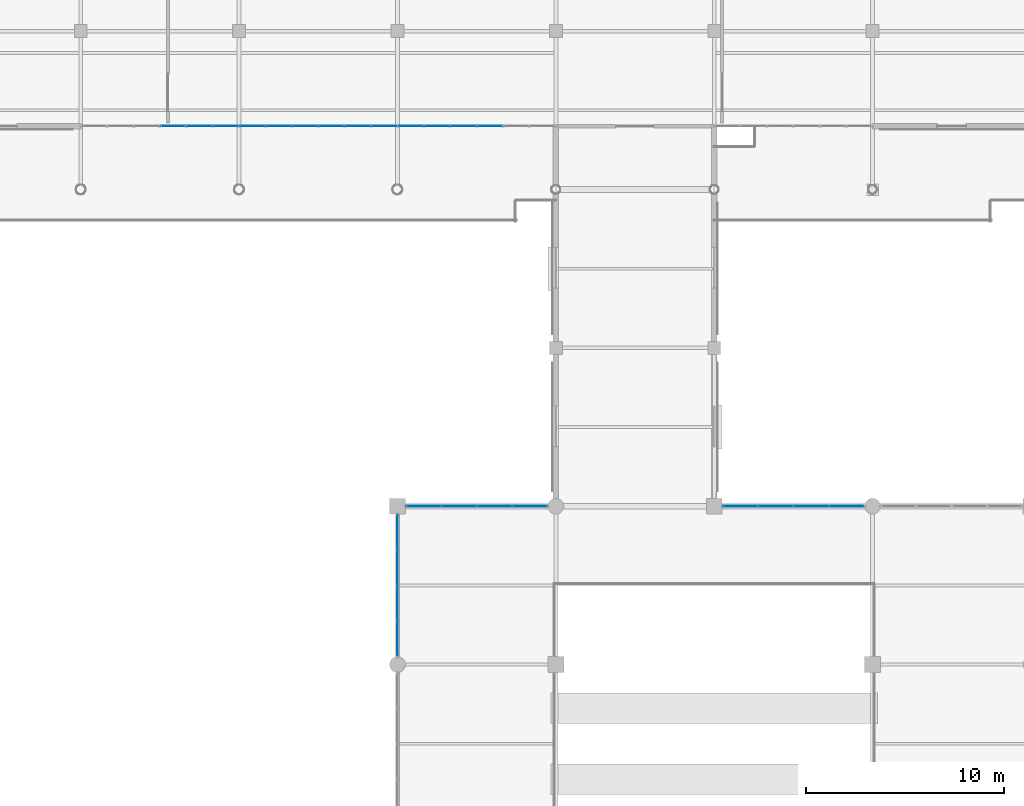
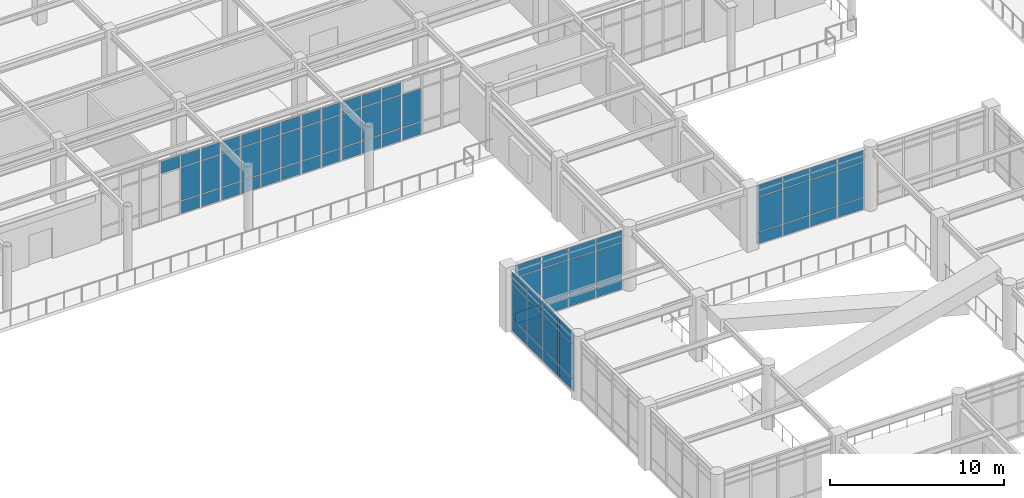
# One storey, part 51 of 75: 72 plates, 6 elements without a shape of their own.
"""IFC4 building model written with IfcOpenShell, lengths in metres."""

from ifc_helpers import new_model, si_unit, direction, frame, origin, origin_2d, place, context, subcontext, project, spatial, rectangle, extrude, material, layer, layer_set, type_object, element, aggregate, save


model = new_model("IFC4")

# Units and contexts
model_context = context("Model", 3, precision=1e-05, world=origin(), true_north=direction((0.0, 1.0)))
body_context = subcontext(model_context, "Body", "Model", "MODEL_VIEW")
ifc_project = project(units=[si_unit("LENGTHUNIT", "METRE"), si_unit("AREAUNIT", "SQUARE_METRE"), si_unit("VOLUMEUNIT", "CUBIC_METRE"), si_unit("PLANEANGLEUNIT", "RADIAN"), si_unit("MASSUNIT", "GRAM", prefix="KILO")], contexts=[model_context])

# Site, building, storey
site_placement = place(None, origin())
site = spatial("IfcSite", under=ifc_project, at=site_placement, CompositionType="ELEMENT")
building_placement = place(site_placement, origin())
building = spatial("IfcBuilding", under=site, at=building_placement, Name="Solmirada Galleria", CompositionType="ELEMENT")
storey_placement = place(building_placement, frame((0.0, 0.0, 19.39990234375)))
storey = spatial("IfcBuildingStorey", under=building, at=storey_placement, Name="L04", CompositionType="ELEMENT", Elevation=19.39990234375)

# Curtain wall, plates
ifc_material_1 = material(Name="Impact-resistant low-E double glazing", Category="glass")
curtain_wall_type_1 = type_object("IfcCurtainWallType", Name="CW-FZ3-L04-B4-L072", PredefinedType="NOTDEFINED", material=ifc_material_1)
curtain_wall_1_placement = place(storey_placement, origin())
curtain_wall_1 = element("IfcCurtainWall", 1, at=curtain_wall_1_placement, inside=storey, type_object=curtain_wall_type_1, Name="Terrace and arcade storefront CW-L04-144", PredefinedType="NOTDEFINED")
ifc_layer_1 = layer(ifc_material_1, 0.0419921875)
ifc_layer_set_1 = layer_set([ifc_layer_1], Name="Impact-resistant low-E double glazing")
plate_type_1 = type_object("IfcPlateType", Name="CW-PNL-CW30-T42", PredefinedType="CURTAIN_PANEL", material=ifc_layer_set_1)
plate_1_placement = place(storey_placement, frame((80.0, 65.31640625, 0.06005859375), z_axis=(0.0, 0.0, 1.0), x_axis=(0.0, 1.0, 0.0)))
plate_1 = element("IfcPlate", 2, at=plate_1_placement, type_object=plate_type_1, Name="CW30 panel 1.1", PredefinedType="CURTAIN_PANEL", context=body_context, shape_type="SweptSolid", body=[
    extrude(rectangle(XDim=1.708984375, YDim=0.0419921875, at=origin_2d()), origin(), (0.0, 0.0, 1.0), 0.7900390625),
])
plate_2_placement = place(storey_placement, frame((80.0, 65.31640625, 0.91015625), z_axis=(0.0, 0.0, 1.0), x_axis=(0.0, 1.0, 0.0)))
plate_2 = element("IfcPlate", 3, at=plate_2_placement, type_object=plate_type_1, Name="CW30 panel 1.2", PredefinedType="CURTAIN_PANEL", context=body_context, shape_type="SweptSolid", body=[
    extrude(rectangle(XDim=1.708984375, YDim=0.0419921875, at=origin_2d()), origin(), (0.0, 0.0, 1.0), 2.39990234375),
])
plate_3_placement = place(storey_placement, frame((80.0, 65.31640625, 3.3701171875), z_axis=(0.0, 0.0, 1.0), x_axis=(0.0, 1.0, 0.0)))
plate_3 = element("IfcPlate", 4, at=plate_3_placement, type_object=plate_type_1, Name="CW30 panel 1.3", PredefinedType="CURTAIN_PANEL", context=body_context, shape_type="SweptSolid", body=[
    extrude(rectangle(XDim=1.708984375, YDim=0.0419921875, at=origin_2d()), origin(), (0.0, 0.0, 1.0), 0.7900390625),
])
plate_4_placement = place(storey_placement, frame((80.0, 67.1005859375, 0.06005859375), z_axis=(0.0, 0.0, 1.0), x_axis=(0.0, 1.0, 0.0)))
plate_4 = element("IfcPlate", 5, at=plate_4_placement, type_object=plate_type_1, Name="CW30 panel 2.1", PredefinedType="CURTAIN_PANEL", context=body_context, shape_type="SweptSolid", body=[
    extrude(rectangle(XDim=1.739013671875, YDim=0.0419921875, at=origin_2d()), origin(), (0.0, 0.0, 1.0), 0.7900390625),
])
plate_5_placement = place(storey_placement, frame((80.0, 67.1005859375, 0.91015625), z_axis=(0.0, 0.0, 1.0), x_axis=(0.0, 1.0, 0.0)))
plate_5 = element("IfcPlate", 6, at=plate_5_placement, type_object=plate_type_1, Name="CW30 panel 2.2", PredefinedType="CURTAIN_PANEL", context=body_context, shape_type="SweptSolid", body=[
    extrude(rectangle(XDim=1.739013671875, YDim=0.0419921875, at=origin_2d()), origin(), (0.0, 0.0, 1.0), 2.39990234375),
])
plate_6_placement = place(storey_placement, frame((80.0, 67.1005859375, 3.3701171875), z_axis=(0.0, 0.0, 1.0), x_axis=(0.0, 1.0, 0.0)))
plate_6 = element("IfcPlate", 7, at=plate_6_placement, type_object=plate_type_1, Name="CW30 panel 2.3", PredefinedType="CURTAIN_PANEL", context=body_context, shape_type="SweptSolid", body=[
    extrude(rectangle(XDim=1.739013671875, YDim=0.0419921875, at=origin_2d()), origin(), (0.0, 0.0, 1.0), 0.7900390625),
])
plate_7_placement = place(storey_placement, frame((80.0, 68.8994140625, 0.06005859375), z_axis=(0.0, 0.0, 1.0), x_axis=(0.0, 1.0, 0.0)))
plate_7 = element("IfcPlate", 8, at=plate_7_placement, type_object=plate_type_1, Name="CW30 panel 3.1", PredefinedType="CURTAIN_PANEL", context=body_context, shape_type="SweptSolid", body=[
    extrude(rectangle(XDim=1.739013671875, YDim=0.0419921875, at=origin_2d()), origin(), (0.0, 0.0, 1.0), 0.7900390625),
])
plate_8_placement = place(storey_placement, frame((80.0, 68.8994140625, 0.91015625), z_axis=(0.0, 0.0, 1.0), x_axis=(0.0, 1.0, 0.0)))
plate_8 = element("IfcPlate", 9, at=plate_8_placement, type_object=plate_type_1, Name="CW30 panel 3.2", PredefinedType="CURTAIN_PANEL", context=body_context, shape_type="SweptSolid", body=[
    extrude(rectangle(XDim=1.739013671875, YDim=0.0419921875, at=origin_2d()), origin(), (0.0, 0.0, 1.0), 2.39990234375),
])
plate_9_placement = place(storey_placement, frame((80.0, 68.8994140625, 3.3701171875), z_axis=(0.0, 0.0, 1.0), x_axis=(0.0, 1.0, 0.0)))
plate_9 = element("IfcPlate", 10, at=plate_9_placement, type_object=plate_type_1, Name="CW30 panel 3.3", PredefinedType="CURTAIN_PANEL", context=body_context, shape_type="SweptSolid", body=[
    extrude(rectangle(XDim=1.739013671875, YDim=0.0419921875, at=origin_2d()), origin(), (0.0, 0.0, 1.0), 0.7900390625),
])
plate_10_placement = place(storey_placement, frame((80.0, 70.68359375, 0.06005859375), z_axis=(0.0, 0.0, 1.0), x_axis=(0.0, 1.0, 0.0)))
plate_10 = element("IfcPlate", 11, at=plate_10_placement, type_object=plate_type_1, Name="CW30 panel 4.1", PredefinedType="CURTAIN_PANEL", context=body_context, shape_type="SweptSolid", body=[
    extrude(rectangle(XDim=1.708984375, YDim=0.0419921875, at=origin_2d()), origin(), (0.0, 0.0, 1.0), 0.7900390625),
])
plate_11_placement = place(storey_placement, frame((80.0, 70.68359375, 0.91015625), z_axis=(0.0, 0.0, 1.0), x_axis=(0.0, 1.0, 0.0)))
plate_11 = element("IfcPlate", 12, at=plate_11_placement, type_object=plate_type_1, Name="CW30 panel 4.2", PredefinedType="CURTAIN_PANEL", context=body_context, shape_type="SweptSolid", body=[
    extrude(rectangle(XDim=1.708984375, YDim=0.0419921875, at=origin_2d()), origin(), (0.0, 0.0, 1.0), 2.39990234375),
])
plate_12_placement = place(storey_placement, frame((80.0, 70.68359375, 3.3701171875), z_axis=(0.0, 0.0, 1.0), x_axis=(0.0, 1.0, 0.0)))
plate_12 = element("IfcPlate", 13, at=plate_12_placement, type_object=plate_type_1, Name="CW30 panel 4.3", PredefinedType="CURTAIN_PANEL", context=body_context, shape_type="SweptSolid", body=[
    extrude(rectangle(XDim=1.708984375, YDim=0.0419921875, at=origin_2d()), origin(), (0.0, 0.0, 1.0), 0.7900390625),
])
aggregate(curtain_wall_1, [plate_1, plate_2, plate_3, plate_4, plate_5, plate_6, plate_7, plate_8, plate_9, plate_10, plate_11, plate_12])

curtain_wall_2_placement = place(storey_placement, origin())
curtain_wall_2 = element("IfcCurtainWall", 14, at=curtain_wall_2_placement, inside=storey, type_object=curtain_wall_type_1, Name="Terrace and arcade storefront CW-L04-145", PredefinedType="NOTDEFINED")
plate_13_placement = place(storey_placement, frame((81.31640625, 72.0, 0.06005859375), z_axis=(0.0, 0.0, 1.0), x_axis=(1.0, 0.0, 0.0)))
plate_13 = element("IfcPlate", 15, at=plate_13_placement, type_object=plate_type_1, Name="CW30 panel 1.1", PredefinedType="CURTAIN_PANEL", context=body_context, shape_type="SweptSolid", body=[
    extrude(rectangle(XDim=1.708984375, YDim=0.0419921875, at=origin_2d()), origin(), (0.0, 0.0, 1.0), 0.7900390625),
])
plate_14_placement = place(storey_placement, frame((81.31640625, 72.0, 0.91015625), z_axis=(0.0, 0.0, 1.0), x_axis=(1.0, 0.0, 0.0)))
plate_14 = element("IfcPlate", 16, at=plate_14_placement, type_object=plate_type_1, Name="CW30 panel 1.2", PredefinedType="CURTAIN_PANEL", context=body_context, shape_type="SweptSolid", body=[
    extrude(rectangle(XDim=1.708984375, YDim=0.0419921875, at=origin_2d()), origin(), (0.0, 0.0, 1.0), 2.39990234375),
])
plate_15_placement = place(storey_placement, frame((81.31640625, 72.0, 3.3701171875), z_axis=(0.0, 0.0, 1.0), x_axis=(1.0, 0.0, 0.0)))
plate_15 = element("IfcPlate", 17, at=plate_15_placement, type_object=plate_type_1, Name="CW30 panel 1.3", PredefinedType="CURTAIN_PANEL", context=body_context, shape_type="SweptSolid", body=[
    extrude(rectangle(XDim=1.708984375, YDim=0.0419921875, at=origin_2d()), origin(), (0.0, 0.0, 1.0), 0.7900390625),
])
plate_16_placement = place(storey_placement, frame((83.1005859375, 72.0, 0.06005859375), z_axis=(0.0, 0.0, 1.0), x_axis=(1.0, 0.0, 0.0)))
plate_16 = element("IfcPlate", 18, at=plate_16_placement, type_object=plate_type_1, Name="CW30 panel 2.1", PredefinedType="CURTAIN_PANEL", context=body_context, shape_type="SweptSolid", body=[
    extrude(rectangle(XDim=1.739013671875, YDim=0.0419921875, at=origin_2d()), origin(), (0.0, 0.0, 1.0), 0.7900390625),
])
plate_17_placement = place(storey_placement, frame((83.1005859375, 72.0, 0.91015625), z_axis=(0.0, 0.0, 1.0), x_axis=(1.0, 0.0, 0.0)))
plate_17 = element("IfcPlate", 19, at=plate_17_placement, type_object=plate_type_1, Name="CW30 panel 2.2", PredefinedType="CURTAIN_PANEL", context=body_context, shape_type="SweptSolid", body=[
    extrude(rectangle(XDim=1.739013671875, YDim=0.0419921875, at=origin_2d()), origin(), (0.0, 0.0, 1.0), 2.39990234375),
])
plate_18_placement = place(storey_placement, frame((83.1005859375, 72.0, 3.3701171875), z_axis=(0.0, 0.0, 1.0), x_axis=(1.0, 0.0, 0.0)))
plate_18 = element("IfcPlate", 20, at=plate_18_placement, type_object=plate_type_1, Name="CW30 panel 2.3", PredefinedType="CURTAIN_PANEL", context=body_context, shape_type="SweptSolid", body=[
    extrude(rectangle(XDim=1.739013671875, YDim=0.0419921875, at=origin_2d()), origin(), (0.0, 0.0, 1.0), 0.7900390625),
])
plate_19_placement = place(storey_placement, frame((84.8994140625, 72.0, 0.06005859375), z_axis=(0.0, 0.0, 1.0), x_axis=(1.0, 0.0, 0.0)))
plate_19 = element("IfcPlate", 21, at=plate_19_placement, type_object=plate_type_1, Name="CW30 panel 3.1", PredefinedType="CURTAIN_PANEL", context=body_context, shape_type="SweptSolid", body=[
    extrude(rectangle(XDim=1.739013671875, YDim=0.0419921875, at=origin_2d()), origin(), (0.0, 0.0, 1.0), 0.7900390625),
])
plate_20_placement = place(storey_placement, frame((84.8994140625, 72.0, 0.91015625), z_axis=(0.0, 0.0, 1.0), x_axis=(1.0, 0.0, 0.0)))
plate_20 = element("IfcPlate", 22, at=plate_20_placement, type_object=plate_type_1, Name="CW30 panel 3.2", PredefinedType="CURTAIN_PANEL", context=body_context, shape_type="SweptSolid", body=[
    extrude(rectangle(XDim=1.739013671875, YDim=0.0419921875, at=origin_2d()), origin(), (0.0, 0.0, 1.0), 2.39990234375),
])
plate_21_placement = place(storey_placement, frame((84.8994140625, 72.0, 3.3701171875), z_axis=(0.0, 0.0, 1.0), x_axis=(1.0, 0.0, 0.0)))
plate_21 = element("IfcPlate", 23, at=plate_21_placement, type_object=plate_type_1, Name="CW30 panel 3.3", PredefinedType="CURTAIN_PANEL", context=body_context, shape_type="SweptSolid", body=[
    extrude(rectangle(XDim=1.739013671875, YDim=0.0419921875, at=origin_2d()), origin(), (0.0, 0.0, 1.0), 0.7900390625),
])
plate_22_placement = place(storey_placement, frame((86.68359375, 72.0, 0.06005859375), z_axis=(0.0, 0.0, 1.0), x_axis=(1.0, 0.0, 0.0)))
plate_22 = element("IfcPlate", 24, at=plate_22_placement, type_object=plate_type_1, Name="CW30 panel 4.1", PredefinedType="CURTAIN_PANEL", context=body_context, shape_type="SweptSolid", body=[
    extrude(rectangle(XDim=1.708984375, YDim=0.0419921875, at=origin_2d()), origin(), (0.0, 0.0, 1.0), 0.7900390625),
])
plate_23_placement = place(storey_placement, frame((86.68359375, 72.0, 0.91015625), z_axis=(0.0, 0.0, 1.0), x_axis=(1.0, 0.0, 0.0)))
plate_23 = element("IfcPlate", 25, at=plate_23_placement, type_object=plate_type_1, Name="CW30 panel 4.2", PredefinedType="CURTAIN_PANEL", context=body_context, shape_type="SweptSolid", body=[
    extrude(rectangle(XDim=1.708984375, YDim=0.0419921875, at=origin_2d()), origin(), (0.0, 0.0, 1.0), 2.39990234375),
])
plate_24_placement = place(storey_placement, frame((86.68359375, 72.0, 3.3701171875), z_axis=(0.0, 0.0, 1.0), x_axis=(1.0, 0.0, 0.0)))
plate_24 = element("IfcPlate", 26, at=plate_24_placement, type_object=plate_type_1, Name="CW30 panel 4.3", PredefinedType="CURTAIN_PANEL", context=body_context, shape_type="SweptSolid", body=[
    extrude(rectangle(XDim=1.708984375, YDim=0.0419921875, at=origin_2d()), origin(), (0.0, 0.0, 1.0), 0.7900390625),
])
aggregate(curtain_wall_2, [plate_13, plate_14, plate_15, plate_16, plate_17, plate_18, plate_19, plate_20, plate_21, plate_22, plate_23, plate_24])

curtain_wall_3_placement = place(storey_placement, origin())
curtain_wall_3 = element("IfcCurtainWall", 27, at=curtain_wall_3_placement, inside=storey, type_object=curtain_wall_type_1, Name="Terrace and arcade storefront CW-L04-152", PredefinedType="NOTDEFINED")
plate_25_placement = place(storey_placement, frame((97.31640625, 72.0, 0.06005859375), z_axis=(0.0, 0.0, 1.0), x_axis=(1.0, 0.0, 0.0)))
plate_25 = element("IfcPlate", 28, at=plate_25_placement, type_object=plate_type_1, Name="CW30 panel 1.1", PredefinedType="CURTAIN_PANEL", context=body_context, shape_type="SweptSolid", body=[
    extrude(rectangle(XDim=1.708984375, YDim=0.0419921875, at=origin_2d()), origin(), (0.0, 0.0, 1.0), 0.7900390625),
])
plate_26_placement = place(storey_placement, frame((97.31640625, 72.0, 0.91015625), z_axis=(0.0, 0.0, 1.0), x_axis=(1.0, 0.0, 0.0)))
plate_26 = element("IfcPlate", 29, at=plate_26_placement, type_object=plate_type_1, Name="CW30 panel 1.2", PredefinedType="CURTAIN_PANEL", context=body_context, shape_type="SweptSolid", body=[
    extrude(rectangle(XDim=1.708984375, YDim=0.0419921875, at=origin_2d()), origin(), (0.0, 0.0, 1.0), 2.39990234375),
])
plate_27_placement = place(storey_placement, frame((97.31640625, 72.0, 3.3701171875), z_axis=(0.0, 0.0, 1.0), x_axis=(1.0, 0.0, 0.0)))
plate_27 = element("IfcPlate", 30, at=plate_27_placement, type_object=plate_type_1, Name="CW30 panel 1.3", PredefinedType="CURTAIN_PANEL", context=body_context, shape_type="SweptSolid", body=[
    extrude(rectangle(XDim=1.708984375, YDim=0.0419921875, at=origin_2d()), origin(), (0.0, 0.0, 1.0), 0.7900390625),
])
plate_28_placement = place(storey_placement, frame((99.1005859375, 72.0, 0.06005859375), z_axis=(0.0, 0.0, 1.0), x_axis=(1.0, 0.0, 0.0)))
plate_28 = element("IfcPlate", 31, at=plate_28_placement, type_object=plate_type_1, Name="CW30 panel 2.1", PredefinedType="CURTAIN_PANEL", context=body_context, shape_type="SweptSolid", body=[
    extrude(rectangle(XDim=1.739013671875, YDim=0.0419921875, at=origin_2d()), origin(), (0.0, 0.0, 1.0), 0.7900390625),
])
plate_29_placement = place(storey_placement, frame((99.1005859375, 72.0, 0.91015625), z_axis=(0.0, 0.0, 1.0), x_axis=(1.0, 0.0, 0.0)))
plate_29 = element("IfcPlate", 32, at=plate_29_placement, type_object=plate_type_1, Name="CW30 panel 2.2", PredefinedType="CURTAIN_PANEL", context=body_context, shape_type="SweptSolid", body=[
    extrude(rectangle(XDim=1.739013671875, YDim=0.0419921875, at=origin_2d()), origin(), (0.0, 0.0, 1.0), 2.39990234375),
])
plate_30_placement = place(storey_placement, frame((99.1005859375, 72.0, 3.3701171875), z_axis=(0.0, 0.0, 1.0), x_axis=(1.0, 0.0, 0.0)))
plate_30 = element("IfcPlate", 33, at=plate_30_placement, type_object=plate_type_1, Name="CW30 panel 2.3", PredefinedType="CURTAIN_PANEL", context=body_context, shape_type="SweptSolid", body=[
    extrude(rectangle(XDim=1.739013671875, YDim=0.0419921875, at=origin_2d()), origin(), (0.0, 0.0, 1.0), 0.7900390625),
])
plate_31_placement = place(storey_placement, frame((100.8994140625, 72.0, 0.06005859375), z_axis=(0.0, 0.0, 1.0), x_axis=(1.0, 0.0, 0.0)))
plate_31 = element("IfcPlate", 34, at=plate_31_placement, type_object=plate_type_1, Name="CW30 panel 3.1", PredefinedType="CURTAIN_PANEL", context=body_context, shape_type="SweptSolid", body=[
    extrude(rectangle(XDim=1.739013671875, YDim=0.0419921875, at=origin_2d()), origin(), (0.0, 0.0, 1.0), 0.7900390625),
])
plate_32_placement = place(storey_placement, frame((100.8994140625, 72.0, 0.91015625), z_axis=(0.0, 0.0, 1.0), x_axis=(1.0, 0.0, 0.0)))
plate_32 = element("IfcPlate", 35, at=plate_32_placement, type_object=plate_type_1, Name="CW30 panel 3.2", PredefinedType="CURTAIN_PANEL", context=body_context, shape_type="SweptSolid", body=[
    extrude(rectangle(XDim=1.739013671875, YDim=0.0419921875, at=origin_2d()), origin(), (0.0, 0.0, 1.0), 2.39990234375),
])
plate_33_placement = place(storey_placement, frame((100.8994140625, 72.0, 3.3701171875), z_axis=(0.0, 0.0, 1.0), x_axis=(1.0, 0.0, 0.0)))
plate_33 = element("IfcPlate", 36, at=plate_33_placement, type_object=plate_type_1, Name="CW30 panel 3.3", PredefinedType="CURTAIN_PANEL", context=body_context, shape_type="SweptSolid", body=[
    extrude(rectangle(XDim=1.739013671875, YDim=0.0419921875, at=origin_2d()), origin(), (0.0, 0.0, 1.0), 0.7900390625),
])
plate_34_placement = place(storey_placement, frame((102.68359375, 72.0, 0.06005859375), z_axis=(0.0, 0.0, 1.0), x_axis=(1.0, 0.0, 0.0)))
plate_34 = element("IfcPlate", 37, at=plate_34_placement, type_object=plate_type_1, Name="CW30 panel 4.1", PredefinedType="CURTAIN_PANEL", context=body_context, shape_type="SweptSolid", body=[
    extrude(rectangle(XDim=1.708984375, YDim=0.0419921875, at=origin_2d()), origin(), (0.0, 0.0, 1.0), 0.7900390625),
])
plate_35_placement = place(storey_placement, frame((102.68359375, 72.0, 0.91015625), z_axis=(0.0, 0.0, 1.0), x_axis=(1.0, 0.0, 0.0)))
plate_35 = element("IfcPlate", 38, at=plate_35_placement, type_object=plate_type_1, Name="CW30 panel 4.2", PredefinedType="CURTAIN_PANEL", context=body_context, shape_type="SweptSolid", body=[
    extrude(rectangle(XDim=1.708984375, YDim=0.0419921875, at=origin_2d()), origin(), (0.0, 0.0, 1.0), 2.39990234375),
])
plate_36_placement = place(storey_placement, frame((102.68359375, 72.0, 3.3701171875), z_axis=(0.0, 0.0, 1.0), x_axis=(1.0, 0.0, 0.0)))
plate_36 = element("IfcPlate", 39, at=plate_36_placement, type_object=plate_type_1, Name="CW30 panel 4.3", PredefinedType="CURTAIN_PANEL", context=body_context, shape_type="SweptSolid", body=[
    extrude(rectangle(XDim=1.708984375, YDim=0.0419921875, at=origin_2d()), origin(), (0.0, 0.0, 1.0), 0.7900390625),
])
aggregate(curtain_wall_3, [plate_25, plate_26, plate_27, plate_28, plate_29, plate_30, plate_31, plate_32, plate_33, plate_34, plate_35, plate_36])

curtain_wall_type_2 = type_object("IfcCurtainWallType", Name="CW-FZ4-L04-B6-L080", PredefinedType="NOTDEFINED", material=ifc_material_1)
curtain_wall_4_placement = place(storey_placement, origin())
curtain_wall_4 = element("IfcCurtainWall", 40, at=curtain_wall_4_placement, inside=storey, type_object=curtain_wall_type_2, Name="Terrace and arcade storefront CW-L04-146", PredefinedType="NOTDEFINED")
ifc_material_2 = material(Name="Ceramic-fritted spandrel glass", Category="glass")
ifc_layer_2 = layer(ifc_material_2, 0.028076171875)
ifc_layer_set_2 = layer_set([ifc_layer_2], Name="Ceramic-fritted spandrel glass")
plate_type_2 = type_object("IfcPlateType", Name="CW-PNL-CW31-T28", PredefinedType="CURTAIN_PANEL", material=ifc_layer_set_2)
plate_37_placement = place(storey_placement, frame((84.666748046875, 91.199951171875, 0.06005859375), z_axis=(0.0, 0.0, 1.0), x_axis=(-1.0, 0.0, 0.0)))
plate_37 = element("IfcPlate", 41, at=plate_37_placement, type_object=plate_type_2, Name="CW31 panel 3.1", PredefinedType="CURTAIN_PANEL", context=body_context, shape_type="SweptSolid", body=[
    extrude(rectangle(XDim=1.2734375, YDim=0.028076171875, at=origin_2d()), origin(), (0.0, 0.0, 1.0), 0.85009765625),
])
plate_38_placement = place(storey_placement, frame((84.666748046875, 91.199951171875, 0.969970703125), z_axis=(0.0, 0.0, 1.0), x_axis=(-1.0, 0.0, 0.0)))
plate_38 = element("IfcPlate", 42, at=plate_38_placement, type_object=plate_type_2, Name="CW31 panel 3.2", PredefinedType="CURTAIN_PANEL", context=body_context, shape_type="SweptSolid", body=[
    extrude(rectangle(XDim=1.2734375, YDim=0.028076171875, at=origin_2d()), origin(), (0.0, 0.0, 1.0), 2.2900390625),
])
plate_39_placement = place(storey_placement, frame((83.333251953125, 91.199951171875, 0.06005859375), z_axis=(0.0, 0.0, 1.0), x_axis=(-1.0, 0.0, 0.0)))
plate_39 = element("IfcPlate", 43, at=plate_39_placement, type_object=plate_type_2, Name="CW31 panel 4.1", PredefinedType="CURTAIN_PANEL", context=body_context, shape_type="SweptSolid", body=[
    extrude(rectangle(XDim=1.2734375, YDim=0.028076171875, at=origin_2d()), origin(), (0.0, 0.0, 1.0), 0.85009765625),
])
plate_40_placement = place(storey_placement, frame((83.333251953125, 91.199951171875, 0.969970703125), z_axis=(0.0, 0.0, 1.0), x_axis=(-1.0, 0.0, 0.0)))
plate_40 = element("IfcPlate", 44, at=plate_40_placement, type_object=plate_type_2, Name="CW31 panel 4.2", PredefinedType="CURTAIN_PANEL", context=body_context, shape_type="SweptSolid", body=[
    extrude(rectangle(XDim=1.2734375, YDim=0.028076171875, at=origin_2d()), origin(), (0.0, 0.0, 1.0), 2.2900390625),
])
plate_41_placement = place(storey_placement, frame((83.333251953125, 91.199951171875, 3.31982421875), z_axis=(0.0, 0.0, 1.0), x_axis=(-1.0, 0.0, 0.0)))
plate_41 = element("IfcPlate", 45, at=plate_41_placement, type_object=plate_type_2, Name="CW31 panel 4.3", PredefinedType="CURTAIN_PANEL", context=body_context, shape_type="SweptSolid", body=[
    extrude(rectangle(XDim=1.2734375, YDim=0.028076171875, at=origin_2d()), origin(), (0.0, 0.0, 1.0), 0.840087890625),
])
plate_42_placement = place(storey_placement, frame((82.0, 91.199951171875, 0.06005859375), z_axis=(0.0, 0.0, 1.0), x_axis=(-1.0, 0.0, 0.0)))
plate_42 = element("IfcPlate", 46, at=plate_42_placement, type_object=plate_type_2, Name="CW31 panel 5.1", PredefinedType="CURTAIN_PANEL", context=body_context, shape_type="SweptSolid", body=[
    extrude(rectangle(XDim=1.2734375, YDim=0.028076171875, at=origin_2d()), origin(), (0.0, 0.0, 1.0), 0.85009765625),
])
plate_43_placement = place(storey_placement, frame((82.0, 91.199951171875, 0.969970703125), z_axis=(0.0, 0.0, 1.0), x_axis=(-1.0, 0.0, 0.0)))
plate_43 = element("IfcPlate", 47, at=plate_43_placement, type_object=plate_type_2, Name="CW31 panel 5.2", PredefinedType="CURTAIN_PANEL", context=body_context, shape_type="SweptSolid", body=[
    extrude(rectangle(XDim=1.2734375, YDim=0.028076171875, at=origin_2d()), origin(), (0.0, 0.0, 1.0), 2.2900390625),
])
plate_44_placement = place(storey_placement, frame((82.0, 91.199951171875, 3.31982421875), z_axis=(0.0, 0.0, 1.0), x_axis=(-1.0, 0.0, 0.0)))
plate_44 = element("IfcPlate", 48, at=plate_44_placement, type_object=plate_type_2, Name="CW31 panel 5.3", PredefinedType="CURTAIN_PANEL", context=body_context, shape_type="SweptSolid", body=[
    extrude(rectangle(XDim=1.2734375, YDim=0.028076171875, at=origin_2d()), origin(), (0.0, 0.0, 1.0), 0.840087890625),
])
plate_45_placement = place(storey_placement, frame((80.681640625, 91.199951171875, 0.06005859375), z_axis=(0.0, 0.0, 1.0), x_axis=(-1.0, 0.0, 0.0)))
plate_45 = element("IfcPlate", 49, at=plate_45_placement, type_object=plate_type_2, Name="CW31 panel 6.1", PredefinedType="CURTAIN_PANEL", context=body_context, shape_type="SweptSolid", body=[
    extrude(rectangle(XDim=1.243408203125, YDim=0.028076171875, at=origin_2d()), origin(), (0.0, 0.0, 1.0), 0.85009765625),
])
plate_46_placement = place(storey_placement, frame((80.681640625, 91.199951171875, 0.969970703125), z_axis=(0.0, 0.0, 1.0), x_axis=(-1.0, 0.0, 0.0)))
plate_46 = element("IfcPlate", 50, at=plate_46_placement, type_object=plate_type_2, Name="CW31 panel 6.2", PredefinedType="CURTAIN_PANEL", context=body_context, shape_type="SweptSolid", body=[
    extrude(rectangle(XDim=1.243408203125, YDim=0.028076171875, at=origin_2d()), origin(), (0.0, 0.0, 1.0), 2.2900390625),
])
plate_47_placement = place(storey_placement, frame((80.681640625, 91.199951171875, 3.31982421875), z_axis=(0.0, 0.0, 1.0), x_axis=(-1.0, 0.0, 0.0)))
plate_47 = element("IfcPlate", 51, at=plate_47_placement, type_object=plate_type_2, Name="CW31 panel 6.3", PredefinedType="CURTAIN_PANEL", context=body_context, shape_type="SweptSolid", body=[
    extrude(rectangle(XDim=1.243408203125, YDim=0.028076171875, at=origin_2d()), origin(), (0.0, 0.0, 1.0), 0.840087890625),
])
aggregate(curtain_wall_4, [plate_37, plate_38, plate_39, plate_40, plate_41, plate_42, plate_43, plate_44, plate_45, plate_46, plate_47])

curtain_wall_5_placement = place(storey_placement, origin())
curtain_wall_5 = element("IfcCurtainWall", 52, at=curtain_wall_5_placement, inside=storey, type_object=curtain_wall_type_2, Name="Terrace and arcade storefront CW-L04-147", PredefinedType="NOTDEFINED")
plate_48_placement = place(storey_placement, frame((79.318359375, 91.199951171875, 0.06005859375), z_axis=(0.0, 0.0, 1.0), x_axis=(-1.0, 0.0, 0.0)))
plate_48 = element("IfcPlate", 53, at=plate_48_placement, type_object=plate_type_2, Name="CW31 panel 1.1", PredefinedType="CURTAIN_PANEL", context=body_context, shape_type="SweptSolid", body=[
    extrude(rectangle(XDim=1.243408203125, YDim=0.028076171875, at=origin_2d()), origin(), (0.0, 0.0, 1.0), 0.85009765625),
])
plate_49_placement = place(storey_placement, frame((79.318359375, 91.199951171875, 0.969970703125), z_axis=(0.0, 0.0, 1.0), x_axis=(-1.0, 0.0, 0.0)))
plate_49 = element("IfcPlate", 54, at=plate_49_placement, type_object=plate_type_2, Name="CW31 panel 1.2", PredefinedType="CURTAIN_PANEL", context=body_context, shape_type="SweptSolid", body=[
    extrude(rectangle(XDim=1.243408203125, YDim=0.028076171875, at=origin_2d()), origin(), (0.0, 0.0, 1.0), 2.2900390625),
])
plate_50_placement = place(storey_placement, frame((79.318359375, 91.199951171875, 3.31982421875), z_axis=(0.0, 0.0, 1.0), x_axis=(-1.0, 0.0, 0.0)))
plate_50 = element("IfcPlate", 55, at=plate_50_placement, type_object=plate_type_2, Name="CW31 panel 1.3", PredefinedType="CURTAIN_PANEL", context=body_context, shape_type="SweptSolid", body=[
    extrude(rectangle(XDim=1.243408203125, YDim=0.028076171875, at=origin_2d()), origin(), (0.0, 0.0, 1.0), 0.840087890625),
])
plate_51_placement = place(storey_placement, frame((78.0, 91.199951171875, 0.06005859375), z_axis=(0.0, 0.0, 1.0), x_axis=(-1.0, 0.0, 0.0)))
plate_51 = element("IfcPlate", 56, at=plate_51_placement, type_object=plate_type_2, Name="CW31 panel 2.1", PredefinedType="CURTAIN_PANEL", context=body_context, shape_type="SweptSolid", body=[
    extrude(rectangle(XDim=1.2734375, YDim=0.028076171875, at=origin_2d()), origin(), (0.0, 0.0, 1.0), 0.85009765625),
])
plate_52_placement = place(storey_placement, frame((78.0, 91.199951171875, 0.969970703125), z_axis=(0.0, 0.0, 1.0), x_axis=(-1.0, 0.0, 0.0)))
plate_52 = element("IfcPlate", 57, at=plate_52_placement, type_object=plate_type_2, Name="CW31 panel 2.2", PredefinedType="CURTAIN_PANEL", context=body_context, shape_type="SweptSolid", body=[
    extrude(rectangle(XDim=1.2734375, YDim=0.028076171875, at=origin_2d()), origin(), (0.0, 0.0, 1.0), 2.2900390625),
])
plate_53_placement = place(storey_placement, frame((78.0, 91.199951171875, 3.31982421875), z_axis=(0.0, 0.0, 1.0), x_axis=(-1.0, 0.0, 0.0)))
plate_53 = element("IfcPlate", 58, at=plate_53_placement, type_object=plate_type_2, Name="CW31 panel 2.3", PredefinedType="CURTAIN_PANEL", context=body_context, shape_type="SweptSolid", body=[
    extrude(rectangle(XDim=1.2734375, YDim=0.028076171875, at=origin_2d()), origin(), (0.0, 0.0, 1.0), 0.840087890625),
])
plate_54_placement = place(storey_placement, frame((76.666748046875, 91.199951171875, 0.06005859375), z_axis=(0.0, 0.0, 1.0), x_axis=(-1.0, 0.0, 0.0)))
plate_54 = element("IfcPlate", 59, at=plate_54_placement, type_object=plate_type_2, Name="CW31 panel 3.1", PredefinedType="CURTAIN_PANEL", context=body_context, shape_type="SweptSolid", body=[
    extrude(rectangle(XDim=1.2734375, YDim=0.028076171875, at=origin_2d()), origin(), (0.0, 0.0, 1.0), 0.85009765625),
])
plate_55_placement = place(storey_placement, frame((76.666748046875, 91.199951171875, 0.969970703125), z_axis=(0.0, 0.0, 1.0), x_axis=(-1.0, 0.0, 0.0)))
plate_55 = element("IfcPlate", 60, at=plate_55_placement, type_object=plate_type_2, Name="CW31 panel 3.2", PredefinedType="CURTAIN_PANEL", context=body_context, shape_type="SweptSolid", body=[
    extrude(rectangle(XDim=1.2734375, YDim=0.028076171875, at=origin_2d()), origin(), (0.0, 0.0, 1.0), 2.2900390625),
])
plate_56_placement = place(storey_placement, frame((76.666748046875, 91.199951171875, 3.31982421875), z_axis=(0.0, 0.0, 1.0), x_axis=(-1.0, 0.0, 0.0)))
plate_56 = element("IfcPlate", 61, at=plate_56_placement, type_object=plate_type_2, Name="CW31 panel 3.3", PredefinedType="CURTAIN_PANEL", context=body_context, shape_type="SweptSolid", body=[
    extrude(rectangle(XDim=1.2734375, YDim=0.028076171875, at=origin_2d()), origin(), (0.0, 0.0, 1.0), 0.840087890625),
])
plate_57_placement = place(storey_placement, frame((75.333251953125, 91.199951171875, 0.06005859375), z_axis=(0.0, 0.0, 1.0), x_axis=(-1.0, 0.0, 0.0)))
plate_57 = element("IfcPlate", 62, at=plate_57_placement, type_object=plate_type_2, Name="CW31 panel 4.1", PredefinedType="CURTAIN_PANEL", context=body_context, shape_type="SweptSolid", body=[
    extrude(rectangle(XDim=1.2734375, YDim=0.028076171875, at=origin_2d()), origin(), (0.0, 0.0, 1.0), 0.85009765625),
])
plate_58_placement = place(storey_placement, frame((75.333251953125, 91.199951171875, 0.969970703125), z_axis=(0.0, 0.0, 1.0), x_axis=(-1.0, 0.0, 0.0)))
plate_58 = element("IfcPlate", 63, at=plate_58_placement, type_object=plate_type_2, Name="CW31 panel 4.2", PredefinedType="CURTAIN_PANEL", context=body_context, shape_type="SweptSolid", body=[
    extrude(rectangle(XDim=1.2734375, YDim=0.028076171875, at=origin_2d()), origin(), (0.0, 0.0, 1.0), 2.2900390625),
])
plate_59_placement = place(storey_placement, frame((75.333251953125, 91.199951171875, 3.31982421875), z_axis=(0.0, 0.0, 1.0), x_axis=(-1.0, 0.0, 0.0)))
plate_59 = element("IfcPlate", 64, at=plate_59_placement, type_object=plate_type_2, Name="CW31 panel 4.3", PredefinedType="CURTAIN_PANEL", context=body_context, shape_type="SweptSolid", body=[
    extrude(rectangle(XDim=1.2734375, YDim=0.028076171875, at=origin_2d()), origin(), (0.0, 0.0, 1.0), 0.840087890625),
])
plate_60_placement = place(storey_placement, frame((74.0, 91.199951171875, 0.06005859375), z_axis=(0.0, 0.0, 1.0), x_axis=(-1.0, 0.0, 0.0)))
plate_60 = element("IfcPlate", 65, at=plate_60_placement, type_object=plate_type_2, Name="CW31 panel 5.1", PredefinedType="CURTAIN_PANEL", context=body_context, shape_type="SweptSolid", body=[
    extrude(rectangle(XDim=1.2734375, YDim=0.028076171875, at=origin_2d()), origin(), (0.0, 0.0, 1.0), 0.85009765625),
])
plate_61_placement = place(storey_placement, frame((74.0, 91.199951171875, 0.969970703125), z_axis=(0.0, 0.0, 1.0), x_axis=(-1.0, 0.0, 0.0)))
plate_61 = element("IfcPlate", 66, at=plate_61_placement, type_object=plate_type_2, Name="CW31 panel 5.2", PredefinedType="CURTAIN_PANEL", context=body_context, shape_type="SweptSolid", body=[
    extrude(rectangle(XDim=1.2734375, YDim=0.028076171875, at=origin_2d()), origin(), (0.0, 0.0, 1.0), 2.2900390625),
])
plate_62_placement = place(storey_placement, frame((74.0, 91.199951171875, 3.31982421875), z_axis=(0.0, 0.0, 1.0), x_axis=(-1.0, 0.0, 0.0)))
plate_62 = element("IfcPlate", 67, at=plate_62_placement, type_object=plate_type_2, Name="CW31 panel 5.3", PredefinedType="CURTAIN_PANEL", context=body_context, shape_type="SweptSolid", body=[
    extrude(rectangle(XDim=1.2734375, YDim=0.028076171875, at=origin_2d()), origin(), (0.0, 0.0, 1.0), 0.840087890625),
])
plate_63_placement = place(storey_placement, frame((72.681640625, 91.199951171875, 0.06005859375), z_axis=(0.0, 0.0, 1.0), x_axis=(-1.0, 0.0, 0.0)))
plate_63 = element("IfcPlate", 68, at=plate_63_placement, type_object=plate_type_2, Name="CW31 panel 6.1", PredefinedType="CURTAIN_PANEL", context=body_context, shape_type="SweptSolid", body=[
    extrude(rectangle(XDim=1.243408203125, YDim=0.028076171875, at=origin_2d()), origin(), (0.0, 0.0, 1.0), 0.85009765625),
])
plate_64_placement = place(storey_placement, frame((72.681640625, 91.199951171875, 0.969970703125), z_axis=(0.0, 0.0, 1.0), x_axis=(-1.0, 0.0, 0.0)))
plate_64 = element("IfcPlate", 69, at=plate_64_placement, type_object=plate_type_2, Name="CW31 panel 6.2", PredefinedType="CURTAIN_PANEL", context=body_context, shape_type="SweptSolid", body=[
    extrude(rectangle(XDim=1.243408203125, YDim=0.028076171875, at=origin_2d()), origin(), (0.0, 0.0, 1.0), 2.2900390625),
])
plate_65_placement = place(storey_placement, frame((72.681640625, 91.199951171875, 3.31982421875), z_axis=(0.0, 0.0, 1.0), x_axis=(-1.0, 0.0, 0.0)))
plate_65 = element("IfcPlate", 70, at=plate_65_placement, type_object=plate_type_2, Name="CW31 panel 6.3", PredefinedType="CURTAIN_PANEL", context=body_context, shape_type="SweptSolid", body=[
    extrude(rectangle(XDim=1.243408203125, YDim=0.028076171875, at=origin_2d()), origin(), (0.0, 0.0, 1.0), 0.840087890625),
])
aggregate(curtain_wall_5, [plate_48, plate_49, plate_50, plate_51, plate_52, plate_53, plate_54, plate_55, plate_56, plate_57, plate_58, plate_59, plate_60, plate_61, plate_62, plate_63, plate_64, plate_65])

curtain_wall_6_placement = place(storey_placement, origin())
curtain_wall_6 = element("IfcCurtainWall", 71, at=curtain_wall_6_placement, inside=storey, type_object=curtain_wall_type_2, Name="Terrace and arcade storefront CW-L04-148", PredefinedType="NOTDEFINED")
plate_66_placement = place(storey_placement, frame((71.318359375, 91.199951171875, 0.06005859375), z_axis=(0.0, 0.0, 1.0), x_axis=(-1.0, 0.0, 0.0)))
plate_66 = element("IfcPlate", 72, at=plate_66_placement, type_object=plate_type_2, Name="CW31 panel 1.1", PredefinedType="CURTAIN_PANEL", context=body_context, shape_type="SweptSolid", body=[
    extrude(rectangle(XDim=1.243408203125, YDim=0.028076171875, at=origin_2d()), origin(), (0.0, 0.0, 1.0), 0.85009765625),
])
plate_67_placement = place(storey_placement, frame((71.318359375, 91.199951171875, 0.969970703125), z_axis=(0.0, 0.0, 1.0), x_axis=(-1.0, 0.0, 0.0)))
plate_67 = element("IfcPlate", 73, at=plate_67_placement, type_object=plate_type_2, Name="CW31 panel 1.2", PredefinedType="CURTAIN_PANEL", context=body_context, shape_type="SweptSolid", body=[
    extrude(rectangle(XDim=1.243408203125, YDim=0.028076171875, at=origin_2d()), origin(), (0.0, 0.0, 1.0), 2.2900390625),
])
plate_68_placement = place(storey_placement, frame((71.318359375, 91.199951171875, 3.31982421875), z_axis=(0.0, 0.0, 1.0), x_axis=(-1.0, 0.0, 0.0)))
plate_68 = element("IfcPlate", 74, at=plate_68_placement, type_object=plate_type_2, Name="CW31 panel 1.3", PredefinedType="CURTAIN_PANEL", context=body_context, shape_type="SweptSolid", body=[
    extrude(rectangle(XDim=1.243408203125, YDim=0.028076171875, at=origin_2d()), origin(), (0.0, 0.0, 1.0), 0.840087890625),
])
plate_69_placement = place(storey_placement, frame((70.0, 91.199951171875, 0.06005859375), z_axis=(0.0, 0.0, 1.0), x_axis=(-1.0, 0.0, 0.0)))
plate_69 = element("IfcPlate", 75, at=plate_69_placement, type_object=plate_type_2, Name="CW31 panel 2.1", PredefinedType="CURTAIN_PANEL", context=body_context, shape_type="SweptSolid", body=[
    extrude(rectangle(XDim=1.2734375, YDim=0.028076171875, at=origin_2d()), origin(), (0.0, 0.0, 1.0), 0.85009765625),
])
plate_70_placement = place(storey_placement, frame((70.0, 91.199951171875, 0.969970703125), z_axis=(0.0, 0.0, 1.0), x_axis=(-1.0, 0.0, 0.0)))
plate_70 = element("IfcPlate", 76, at=plate_70_placement, type_object=plate_type_2, Name="CW31 panel 2.2", PredefinedType="CURTAIN_PANEL", context=body_context, shape_type="SweptSolid", body=[
    extrude(rectangle(XDim=1.2734375, YDim=0.028076171875, at=origin_2d()), origin(), (0.0, 0.0, 1.0), 2.2900390625),
])
plate_71_placement = place(storey_placement, frame((70.0, 91.199951171875, 3.31982421875), z_axis=(0.0, 0.0, 1.0), x_axis=(-1.0, 0.0, 0.0)))
plate_71 = element("IfcPlate", 77, at=plate_71_placement, type_object=plate_type_2, Name="CW31 panel 2.3", PredefinedType="CURTAIN_PANEL", context=body_context, shape_type="SweptSolid", body=[
    extrude(rectangle(XDim=1.2734375, YDim=0.028076171875, at=origin_2d()), origin(), (0.0, 0.0, 1.0), 0.840087890625),
])
plate_72_placement = place(storey_placement, frame((68.666748046875, 91.199951171875, 3.31982421875), z_axis=(0.0, 0.0, 1.0), x_axis=(-1.0, 0.0, 0.0)))
plate_72 = element("IfcPlate", 78, at=plate_72_placement, type_object=plate_type_2, Name="CW31 panel 3.3", PredefinedType="CURTAIN_PANEL", context=body_context, shape_type="SweptSolid", body=[
    extrude(rectangle(XDim=1.2734375, YDim=0.028076171875, at=origin_2d()), origin(), (0.0, 0.0, 1.0), 0.840087890625),
])
aggregate(curtain_wall_6, [plate_66, plate_67, plate_68, plate_69, plate_70, plate_71, plate_72])

save(model, "model.ifc")
